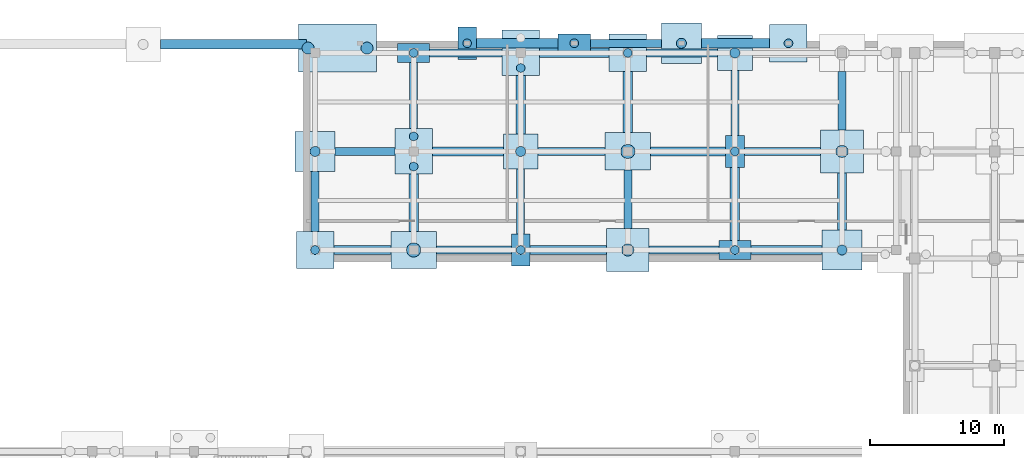
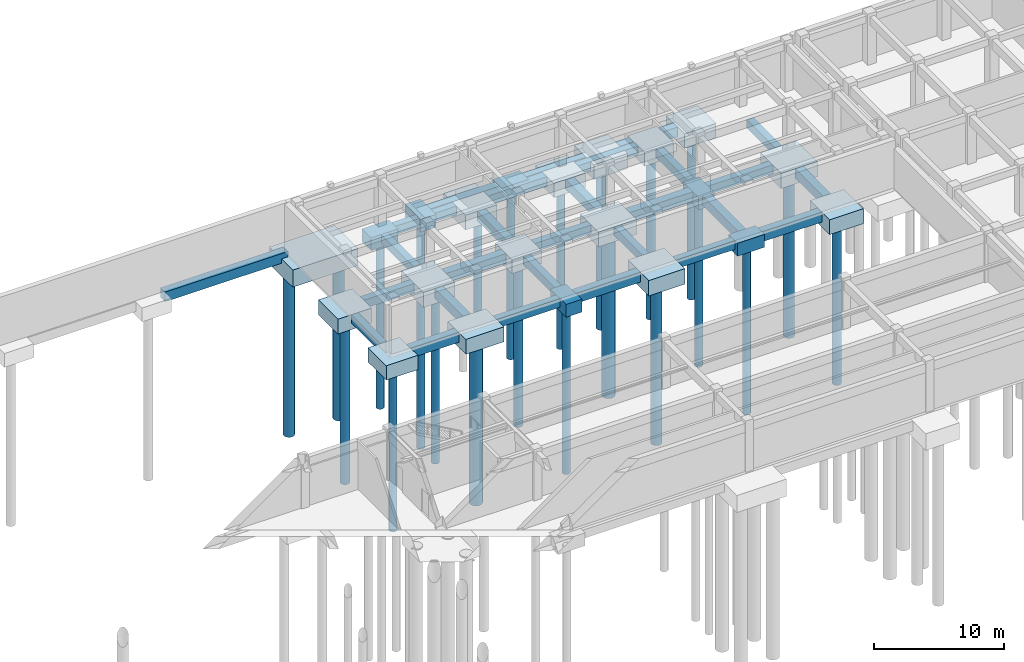
# One storey, part 7 of 35: 49 footings, 23 piles.
"""IFC4 building model written with IfcOpenShell, lengths in metres."""

from ifc_helpers import new_model, si_unit, direction, frame, origin, origin_2d, place, context, subcontext, project, spatial, polyline, rectangle, circle, outline, extrude, material, layer, layer_set, material_profile, profile_set, type_object, element, save


model = new_model("IFC4")

# Units and contexts
model_context = context("Model", 3, precision=1e-05, world=origin(), true_north=direction((0.0, 1.0)))
body_context = subcontext(model_context, "Body", "Model", "MODEL_VIEW")
ifc_project = project(units=[si_unit("LENGTHUNIT", "METRE"), si_unit("AREAUNIT", "SQUARE_METRE"), si_unit("VOLUMEUNIT", "CUBIC_METRE"), si_unit("PLANEANGLEUNIT", "RADIAN"), si_unit("MASSUNIT", "GRAM", prefix="KILO")], contexts=[model_context])

# Site, building, storey
site_placement = place(None, origin())
site = spatial("IfcSite", under=ifc_project, at=site_placement, CompositionType="ELEMENT")
building_placement = place(site_placement, origin())
building = spatial("IfcBuilding", under=site, at=building_placement, Name="Cinchona Park Media Centre", CompositionType="ELEMENT")
storey_placement = place(building_placement, frame((0.0, 0.0, -4.800048828125)))
storey = spatial("IfcBuildingStorey", under=building, at=storey_placement, Name="B1", CompositionType="ELEMENT", Elevation=-4.800048828125)

# Footings
ifc_material_1 = material(Name="Concrete C40/50", Category="concrete")
ifc_layer_1 = layer(ifc_material_1, 0.800048828125)
ifc_layer_set_1 = layer_set([ifc_layer_1], Name="Concrete C40/50")
footing_type_1 = type_object("IfcFootingType", Name="FTG-BEAM-FB01", PredefinedType="FOOTING_BEAM", material=ifc_layer_set_1)
footing_1_placement = place(storey_placement, frame((0.0, 0.0, -1.300048828125)))
element("IfcFooting", 1, at=footing_1_placement, inside=storey, type_object=footing_type_1, Name="Ground Tie Beam FB01", PredefinedType="FOOTING_BEAM", context=body_context, shape_type="SweptSolid", body=[
    extrude(outline(polyline([(104.5, 102.340087890625), (110.10009765625, 102.340087890625), (110.10009765625, 102.93994140625), (104.5, 102.93994140625), (104.5, 102.340087890625)])), origin(), (0.0, 0.0, 1.0), 0.800048828125),
])
footing_2_placement = place(storey_placement, frame((0.0, 0.0, -1.300048828125)))
element("IfcFooting", 2, at=footing_2_placement, inside=storey, type_object=footing_type_1, Name="Ground Tie Beam FB01", PredefinedType="FOOTING_BEAM", context=body_context, shape_type="SweptSolid", body=[
    extrude(outline(polyline([(120.39990234375, 102.340087890625), (125.60009765625, 102.340087890625), (125.60009765625, 102.93994140625), (120.39990234375, 102.93994140625), (120.39990234375, 102.340087890625)])), origin(), (0.0, 0.0, 1.0), 0.800048828125),
])
footing_3_placement = place(storey_placement, frame((0.0, 0.0, -1.300048828125)))
element("IfcFooting", 3, at=footing_3_placement, inside=storey, type_object=footing_type_1, Name="Ground Tie Beam FB01", PredefinedType="FOOTING_BEAM", context=body_context, shape_type="SweptSolid", body=[
    extrude(outline(polyline([(96.93994140625, 109.699951171875), (101.39990234375, 109.699951171875), (101.39990234375, 110.300048828125), (96.93994140625, 110.300048828125), (96.93994140625, 109.699951171875)])), origin(), (0.0, 0.0, 1.0), 0.800048828125),
])
footing_4_placement = place(storey_placement, frame((0.0, 0.0, -1.300048828125)))
element("IfcFooting", 4, at=footing_4_placement, inside=storey, type_object=footing_type_1, Name="Ground Tie Beam FB01", PredefinedType="FOOTING_BEAM", context=body_context, shape_type="SweptSolid", body=[
    extrude(outline(polyline([(112.10009765625, 109.699951171875), (117.10009765625, 109.699951171875), (117.10009765625, 110.300048828125), (112.10009765625, 110.300048828125), (112.10009765625, 109.699951171875)])), origin(), (0.0, 0.0, 1.0), 0.800048828125),
])
footing_5_placement = place(storey_placement, frame((0.0, 0.0, -1.300048828125)))
element("IfcFooting", 5, at=footing_5_placement, inside=storey, type_object=footing_type_1, Name="Ground Tie Beam FB01", PredefinedType="FOOTING_BEAM", context=body_context, shape_type="SweptSolid", body=[
    extrude(outline(polyline([(127.5, 109.699951171875), (133.199951171875, 109.699951171875), (133.199951171875, 110.300048828125), (127.5, 110.300048828125), (127.5, 109.699951171875)])), origin(), (0.0, 0.0, 1.0), 0.800048828125),
])
footing_6_placement = place(storey_placement, frame((0.0, 0.0, -1.300048828125)))
element("IfcFooting", 6, at=footing_6_placement, inside=storey, type_object=footing_type_1, Name="Ground Tie Beam FB01", PredefinedType="FOOTING_BEAM", context=body_context, shape_type="SweptSolid", body=[
    extrude(outline(polyline([(104.0, 117.06005859375), (109.39990234375, 117.06005859375), (109.39990234375, 117.659912109375), (104.0, 117.659912109375), (104.0, 117.06005859375)])), origin(), (0.0, 0.0, 1.0), 0.800048828125),
])
footing_7_placement = place(storey_placement, frame((0.0, 0.0, -1.300048828125)))
element("IfcFooting", 7, at=footing_7_placement, inside=storey, type_object=footing_type_1, Name="Ground Tie Beam FB01", PredefinedType="FOOTING_BEAM", context=body_context, shape_type="SweptSolid", body=[
    extrude(outline(polyline([(120.199951171875, 117.06005859375), (125.5, 117.06005859375), (125.5, 117.659912109375), (120.199951171875, 117.659912109375), (120.199951171875, 117.06005859375)])), origin(), (0.0, 0.0, 1.0), 0.800048828125),
])
footing_8_placement = place(storey_placement, frame((0.0, 0.0, -1.300048828125)))
element("IfcFooting", 8, at=footing_8_placement, inside=storey, type_object=footing_type_1, Name="Ground Tie Beam FB01", PredefinedType="FOOTING_BEAM", context=body_context, shape_type="SweptSolid", body=[
    extrude(outline(polyline([(116.0, 117.780029296875), (121.300048828125, 117.780029296875), (121.300048828125, 118.3798828125), (116.0, 118.3798828125), (116.0, 117.780029296875)])), origin(), (0.0, 0.0, 1.0), 0.800048828125),
])
footing_9_placement = place(storey_placement, frame((0.0, 0.0, -1.300048828125)))
element("IfcFooting", 9, at=footing_9_placement, inside=storey, type_object=footing_type_1, Name="Ground Tie Beam FB01", PredefinedType="FOOTING_BEAM", context=body_context, shape_type="SweptSolid", body=[
    extrude(outline(polyline([(95.139892578125, 104.0400390625), (95.739990234375, 104.0400390625), (95.739990234375, 108.5), (95.139892578125, 108.5), (95.139892578125, 104.0400390625)])), origin(), (0.0, 0.0, 1.0), 0.800048828125),
])
footing_10_placement = place(storey_placement, frame((0.0, 0.0, -1.300048828125)))
element("IfcFooting", 10, at=footing_10_placement, inside=storey, type_object=footing_type_1, Name="Ground Tie Beam FB01", PredefinedType="FOOTING_BEAM", context=body_context, shape_type="SweptSolid", body=[
    extrude(outline(polyline([(102.5, 111.699951171875), (103.10009765625, 111.699951171875), (103.10009765625, 116.659912109375), (102.5, 116.659912109375), (102.5, 111.699951171875)])), origin(), (0.0, 0.0, 1.0), 0.800048828125),
])
footing_11_placement = place(storey_placement, frame((0.0, 0.0, -1.300048828125)))
element("IfcFooting", 11, at=footing_11_placement, inside=storey, type_object=footing_type_1, Name="Ground Tie Beam FB01", PredefinedType="FOOTING_BEAM", context=body_context, shape_type="SweptSolid", body=[
    extrude(outline(polyline([(110.5, 103.840087890625), (111.10009765625, 103.840087890625), (111.10009765625, 108.699951171875), (110.5, 108.699951171875), (110.5, 103.840087890625)])), origin(), (0.0, 0.0, 1.0), 0.800048828125),
])
footing_12_placement = place(storey_placement, frame((0.0, 0.0, -1.300048828125)))
element("IfcFooting", 12, at=footing_12_placement, inside=storey, type_object=footing_type_1, Name="Ground Tie Beam FB01", PredefinedType="FOOTING_BEAM", context=body_context, shape_type="SweptSolid", body=[
    extrude(outline(polyline([(118.5, 104.239990234375), (119.10009765625, 104.239990234375), (119.10009765625, 108.60009765625), (118.5, 108.60009765625), (118.5, 104.239990234375)])), origin(), (0.0, 0.0, 1.0), 0.800048828125),
])
footing_13_placement = place(storey_placement, frame((0.0, 0.0, -1.300048828125)))
element("IfcFooting", 13, at=footing_13_placement, inside=storey, type_object=footing_type_1, Name="Ground Tie Beam FB01", PredefinedType="FOOTING_BEAM", context=body_context, shape_type="SweptSolid", body=[
    extrude(outline(polyline([(126.5, 111.199951171875), (127.10009765625, 111.199951171875), (127.10009765625, 116.06005859375), (126.5, 116.06005859375), (126.5, 111.199951171875)])), origin(), (0.0, 0.0, 1.0), 0.800048828125),
])
footing_14_placement = place(storey_placement, frame((0.0, 0.0, -1.300048828125)))
element("IfcFooting", 14, at=footing_14_placement, inside=storey, type_object=footing_type_1, Name="Ground Tie Beam FB01", PredefinedType="FOOTING_BEAM", context=body_context, shape_type="SweptSolid", body=[
    extrude(outline(polyline([(134.5, 111.60009765625), (135.10009765625, 111.60009765625), (135.10009765625, 115.9599609375), (134.5, 115.9599609375), (134.5, 111.60009765625)])), origin(), (0.0, 0.0, 1.0), 0.800048828125),
])
ifc_material_2 = material(Name="Concrete C40/50", Category="concrete")
ifc_layer_2 = layer(ifc_material_2, 0.89990234375)
ifc_layer_set_2 = layer_set([ifc_layer_2], Name="Concrete C40/50")
footing_type_2 = type_object("IfcFootingType", Name="FTG-BEAM-FB02", PredefinedType="FOOTING_BEAM", material=ifc_layer_set_2)
footing_15_placement = place(storey_placement, frame((0.0, 0.0, -1.39990234375)))
element("IfcFooting", 15, at=footing_15_placement, inside=storey, type_object=footing_type_2, Name="Ground Tie Beam FB02", PredefinedType="FOOTING_BEAM", context=body_context, shape_type="SweptSolid", body=[
    extrude(outline(polyline([(96.840087890625, 102.2900390625), (101.10009765625, 102.2900390625), (101.10009765625, 102.989990234375), (96.840087890625, 102.989990234375), (96.840087890625, 102.2900390625)])), origin(), (0.0, 0.0, 1.0), 0.89990234375),
])
footing_16_placement = place(storey_placement, frame((0.0, 0.0, -1.39990234375)))
element("IfcFooting", 16, at=footing_16_placement, inside=storey, type_object=footing_type_2, Name="Ground Tie Beam FB02", PredefinedType="FOOTING_BEAM", context=body_context, shape_type="SweptSolid", body=[
    extrude(outline(polyline([(111.5, 102.2900390625), (117.199951171875, 102.2900390625), (117.199951171875, 102.989990234375), (111.5, 102.989990234375), (111.5, 102.2900390625)])), origin(), (0.0, 0.0, 1.0), 0.89990234375),
])
footing_17_placement = place(storey_placement, frame((0.0, 0.0, -1.39990234375)))
element("IfcFooting", 17, at=footing_17_placement, inside=storey, type_object=footing_type_2, Name="Ground Tie Beam FB02", PredefinedType="FOOTING_BEAM", context=body_context, shape_type="SweptSolid", body=[
    extrude(outline(polyline([(128.0, 102.2900390625), (133.300048828125, 102.2900390625), (133.300048828125, 102.989990234375), (128.0, 102.989990234375), (128.0, 102.2900390625)])), origin(), (0.0, 0.0, 1.0), 0.89990234375),
])
footing_18_placement = place(storey_placement, frame((0.0, 0.0, -1.39990234375)))
element("IfcFooting", 18, at=footing_18_placement, inside=storey, type_object=footing_type_2, Name="Ground Tie Beam FB02", PredefinedType="FOOTING_BEAM", context=body_context, shape_type="SweptSolid", body=[
    extrude(outline(polyline([(104.199951171875, 109.64990234375), (109.5, 109.64990234375), (109.5, 110.35009765625), (104.199951171875, 110.35009765625), (104.199951171875, 109.64990234375)])), origin(), (0.0, 0.0, 1.0), 0.89990234375),
])
footing_19_placement = place(storey_placement, frame((0.0, 0.0, -1.39990234375)))
element("IfcFooting", 19, at=footing_19_placement, inside=storey, type_object=footing_type_2, Name="Ground Tie Beam FB02", PredefinedType="FOOTING_BEAM", context=body_context, shape_type="SweptSolid", body=[
    extrude(outline(polyline([(120.5, 109.64990234375), (126.10009765625, 109.64990234375), (126.10009765625, 110.35009765625), (120.5, 110.35009765625), (120.5, 109.64990234375)])), origin(), (0.0, 0.0, 1.0), 0.89990234375),
])
footing_20_placement = place(storey_placement, frame((0.0, 0.0, -1.39990234375)))
element("IfcFooting", 20, at=footing_20_placement, inside=storey, type_object=footing_type_2, Name="Ground Tie Beam FB02", PredefinedType="FOOTING_BEAM", context=body_context, shape_type="SweptSolid", body=[
    extrude(outline(polyline([(112.199951171875, 117.010009765625), (117.39990234375, 117.010009765625), (117.39990234375, 117.7099609375), (112.199951171875, 117.7099609375), (112.199951171875, 117.010009765625)])), origin(), (0.0, 0.0, 1.0), 0.89990234375),
])
footing_21_placement = place(storey_placement, frame((0.0, 0.0, -1.39990234375)))
element("IfcFooting", 21, at=footing_21_placement, inside=storey, type_object=footing_type_2, Name="Ground Tie Beam FB02", PredefinedType="FOOTING_BEAM", context=body_context, shape_type="SweptSolid", body=[
    extrude(outline(polyline([(107.5, 117.72998046875), (113.60009765625, 117.72998046875), (113.60009765625, 118.429931640625), (107.5, 118.429931640625), (107.5, 117.72998046875)])), origin(), (0.0, 0.0, 1.0), 0.89990234375),
])
footing_22_placement = place(storey_placement, frame((0.0, 0.0, -1.39990234375)))
element("IfcFooting", 22, at=footing_22_placement, inside=storey, type_object=footing_type_2, Name="Ground Tie Beam FB02", PredefinedType="FOOTING_BEAM", context=body_context, shape_type="SweptSolid", body=[
    extrude(outline(polyline([(124.300048828125, 117.72998046875), (129.39990234375, 117.72998046875), (129.39990234375, 118.429931640625), (124.300048828125, 118.429931640625), (124.300048828125, 117.72998046875)])), origin(), (0.0, 0.0, 1.0), 0.89990234375),
])
footing_23_placement = place(storey_placement, frame((0.0, 0.0, -1.39990234375)))
element("IfcFooting", 23, at=footing_23_placement, inside=storey, type_object=footing_type_2, Name="Ground Tie Beam FB02", PredefinedType="FOOTING_BEAM", context=body_context, shape_type="SweptSolid", body=[
    extrude(outline(polyline([(102.449951171875, 104.0400390625), (103.14990234375, 104.0400390625), (103.14990234375, 108.300048828125), (102.449951171875, 108.300048828125), (102.449951171875, 104.0400390625)])), origin(), (0.0, 0.0, 1.0), 0.89990234375),
])
footing_24_placement = place(storey_placement, frame((0.0, 0.0, -1.39990234375)))
element("IfcFooting", 24, at=footing_24_placement, inside=storey, type_object=footing_type_2, Name="Ground Tie Beam FB02", PredefinedType="FOOTING_BEAM", context=body_context, shape_type="SweptSolid", body=[
    extrude(outline(polyline([(110.449951171875, 111.300048828125), (111.14990234375, 111.300048828125), (111.14990234375, 115.659912109375), (110.449951171875, 115.659912109375), (110.449951171875, 111.300048828125)])), origin(), (0.0, 0.0, 1.0), 0.89990234375),
])
footing_25_placement = place(storey_placement, frame((0.0, 0.0, -1.39990234375)))
element("IfcFooting", 25, at=footing_25_placement, inside=storey, type_object=footing_type_2, Name="Ground Tie Beam FB02", PredefinedType="FOOTING_BEAM", context=body_context, shape_type="SweptSolid", body=[
    extrude(outline(polyline([(118.449951171875, 111.39990234375), (119.14990234375, 111.39990234375), (119.14990234375, 115.9599609375), (118.449951171875, 115.9599609375), (118.449951171875, 111.39990234375)])), origin(), (0.0, 0.0, 1.0), 0.89990234375),
])
footing_26_placement = place(storey_placement, frame((0.0, 0.0, -1.39990234375)))
element("IfcFooting", 26, at=footing_26_placement, inside=storey, type_object=footing_type_2, Name="Ground Tie Beam FB02", PredefinedType="FOOTING_BEAM", context=body_context, shape_type="SweptSolid", body=[
    extrude(outline(polyline([(126.449951171875, 103.340087890625), (127.14990234375, 103.340087890625), (127.14990234375, 108.800048828125), (126.449951171875, 108.800048828125), (126.449951171875, 103.340087890625)])), origin(), (0.0, 0.0, 1.0), 0.89990234375),
])
footing_27_placement = place(storey_placement, frame((0.0, 0.0, -1.39990234375)))
element("IfcFooting", 27, at=footing_27_placement, inside=storey, type_object=footing_type_2, Name="Ground Tie Beam FB02", PredefinedType="FOOTING_BEAM", context=body_context, shape_type="SweptSolid", body=[
    extrude(outline(polyline([(134.449951171875, 104.139892578125), (135.14990234375, 104.139892578125), (135.14990234375, 108.39990234375), (134.449951171875, 108.39990234375), (134.449951171875, 104.139892578125)])), origin(), (0.0, 0.0, 1.0), 0.89990234375),
])
footing_28_placement = place(storey_placement, frame((0.0, 0.0, -0.89990234375)))
element("IfcFooting", 28, at=footing_28_placement, inside=storey, type_object=footing_type_2, Name="Ground Tie Beam FB02", PredefinedType="FOOTING_BEAM", context=body_context, shape_type="SweptSolid", body=[
    extrude(outline(polyline([(83.89990234375, 117.64990234375), (94.7900390625, 117.64990234375), (94.7900390625, 118.35009765625), (83.89990234375, 118.35009765625), (83.89990234375, 117.64990234375)])), origin(), (0.0, 0.0, 1.0), 0.89990234375),
])

# Piles
ifc_material_3 = material(Name="Concrete C40/50", Category="concrete")
ifc_material_profile_1 = material_profile(ifc_material_3, circle(Radius=0.52490234375, at=origin_2d()), Name="BORED PILE 1050")
ifc_profile_set_1 = profile_set([ifc_material_profile_1], Name="Concrete C40/50")
pile_type_1 = type_object("IfcPileType", Name="PILE-BP1050", PredefinedType="BORED", material=ifc_profile_set_1)
for number, where, z_axis, x_axis, name in (
    (29, (102.800048828125, 102.639892578125, -1.800048828125), (0.0, 0.0, -1.0), (1.0, 0.0, 0.0), "Bored Pile P1050"),
    (30, (118.800048828125, 110.0, -1.800048828125), (0.0, 0.0, -1.0), (1.0, 0.0, 0.0), "Bored Pile P1050"),
):
    element("IfcPile", number, at=place(storey_placement, frame(where, z_axis=z_axis, x_axis=x_axis)), inside=storey, type_object=pile_type_1, Name=name, PredefinedType="BORED", context=body_context, shape_type="SweptSolid", body=[
        extrude(circle(Radius=0.52490234375, at=origin_2d()), origin(), (0.0, 0.0, 1.0), 15.39990234375),
    ])
ifc_material_4 = material(Name="Concrete C40/50", Category="concrete")
ifc_material_profile_2 = material_profile(ifc_material_4, circle(Radius=0.324951171875, at=origin_2d()), Name="BORED PILE 650")
ifc_profile_set_2 = profile_set([ifc_material_profile_2], Name="Concrete C40/50")
pile_type_2 = type_object("IfcPileType", Name="PILE-BP650", PredefinedType="BORED", material=ifc_profile_set_2)
pile_1_placement = place(storey_placement, frame((95.43994140625, 102.639892578125, -1.75), z_axis=(0.0, 0.0, -1.0), x_axis=(1.0, 0.0, 0.0)))
element("IfcPile", 31, at=pile_1_placement, inside=storey, type_object=pile_type_2, Name="Bored Pile P650", PredefinedType="BORED", context=body_context, shape_type="SweptSolid", body=[
    extrude(circle(Radius=0.324951171875, at=origin_2d()), origin(), (0.0, 0.0, 1.0), 15.449951171875),
])
for number, where, z_axis, x_axis, name in (
    (32, (102.800048828125, 108.875, -1.800048828125), (0.0, 0.0, -1.0), (1.0, 0.0, 0.0), "Bored Pile P650"),
    (33, (102.800048828125, 111.125, -1.800048828125), (0.0, 0.0, -1.0), (1.0, 0.0, 0.0), "Bored Pile P650"),
):
    element("IfcPile", number, at=place(storey_placement, frame(where, z_axis=z_axis, x_axis=x_axis)), inside=storey, type_object=pile_type_2, Name=name, PredefinedType="BORED", context=body_context, shape_type="SweptSolid", body=[
        extrude(circle(Radius=0.324951171875, at=origin_2d()), origin(), (0.0, 0.0, 1.0), 15.39990234375),
    ])
for number, where, z_axis, x_axis, name in (
    (34, (102.800048828125, 117.360107421875, -1.599853515625), (0.0, 0.0, -1.0), (1.0, 0.0, 0.0), "Bored Pile P650"),
    (35, (106.800048828125, 118.080078125, -1.599853515625), (0.0, 0.0, -1.0), (1.0, 0.0, 0.0), "Bored Pile P650"),
    (36, (110.800048828125, 102.639892578125, -1.599853515625), (0.0, 0.0, -1.0), (1.0, 0.0, 0.0), "Bored Pile P650"),
):
    element("IfcPile", number, at=place(storey_placement, frame(where, z_axis=z_axis, x_axis=x_axis)), inside=storey, type_object=pile_type_2, Name=name, PredefinedType="BORED", context=body_context, shape_type="SweptSolid", body=[
        extrude(circle(Radius=0.324951171875, at=origin_2d()), origin(), (0.0, 0.0, 1.0), 15.60009765625),
    ])
pile_2_placement = place(storey_placement, frame((110.800048828125, 116.235107421875, -1.800048828125), z_axis=(0.0, 0.0, -1.0), x_axis=(1.0, 0.0, 0.0)))
element("IfcPile", 37, at=pile_2_placement, inside=storey, type_object=pile_type_2, Name="Bored Pile P650", PredefinedType="BORED", context=body_context, shape_type="SweptSolid", body=[
    extrude(circle(Radius=0.324951171875, at=origin_2d()), origin(), (0.0, 0.0, 1.0), 15.39990234375),
])
pile_3_placement = place(storey_placement, frame((114.800048828125, 118.080078125, -1.599853515625), z_axis=(0.0, 0.0, -1.0), x_axis=(1.0, 0.0, 0.0)))
element("IfcPile", 38, at=pile_3_placement, inside=storey, type_object=pile_type_2, Name="Bored Pile P650", PredefinedType="BORED", context=body_context, shape_type="SweptSolid", body=[
    extrude(circle(Radius=0.324951171875, at=origin_2d()), origin(), (0.0, 0.0, 1.0), 15.60009765625),
])
pile_4_placement = place(storey_placement, frame((118.800048828125, 117.360107421875, -1.75), z_axis=(0.0, 0.0, -1.0), x_axis=(1.0, 0.0, 0.0)))
element("IfcPile", 39, at=pile_4_placement, inside=storey, type_object=pile_type_2, Name="Bored Pile P650", PredefinedType="BORED", context=body_context, shape_type="SweptSolid", body=[
    extrude(circle(Radius=0.324951171875, at=origin_2d()), origin(), (0.0, 0.0, 1.0), 15.449951171875),
])
for number, where, z_axis, x_axis, name in (
    (40, (126.800048828125, 102.639892578125, -1.599853515625), (0.0, 0.0, -1.0), (1.0, 0.0, 0.0), "Bored Pile P650"),
    (41, (126.800048828125, 110.0, -1.599853515625), (0.0, 0.0, -1.0), (1.0, 0.0, 0.0), "Bored Pile P650"),
):
    element("IfcPile", number, at=place(storey_placement, frame(where, z_axis=z_axis, x_axis=x_axis)), inside=storey, type_object=pile_type_2, Name=name, PredefinedType="BORED", context=body_context, shape_type="SweptSolid", body=[
        extrude(circle(Radius=0.324951171875, at=origin_2d()), origin(), (0.0, 0.0, 1.0), 15.60009765625),
    ])
pile_5_placement = place(storey_placement, frame((130.800048828125, 118.080078125, -1.75), z_axis=(0.0, 0.0, -1.0), x_axis=(1.0, 0.0, 0.0)))
element("IfcPile", 42, at=pile_5_placement, inside=storey, type_object=pile_type_2, Name="Bored Pile P650", PredefinedType="BORED", context=body_context, shape_type="SweptSolid", body=[
    extrude(circle(Radius=0.324951171875, at=origin_2d()), origin(), (0.0, 0.0, 1.0), 15.449951171875),
])
ifc_material_5 = material(Name="Concrete C40/50", Category="concrete")
ifc_material_profile_3 = material_profile(ifc_material_5, circle(Radius=0.375, at=origin_2d()), Name="BORED PILE 750")
ifc_profile_set_3 = profile_set([ifc_material_profile_3], Name="Concrete C40/50")
pile_type_3 = type_object("IfcPileType", Name="PILE-BP750", PredefinedType="BORED", material=ifc_profile_set_3)
pile_6_placement = place(storey_placement, frame((95.43994140625, 110.0, -1.800048828125), z_axis=(0.0, 0.0, -1.0), x_axis=(1.0, 0.0, 0.0)))
element("IfcPile", 43, at=pile_6_placement, inside=storey, type_object=pile_type_3, Name="Bored Pile P750", PredefinedType="BORED", context=body_context, shape_type="SweptSolid", body=[
    extrude(circle(Radius=0.375, at=origin_2d()), origin(), (0.0, 0.0, 1.0), 15.39990234375),
])
pile_7_placement = place(storey_placement, frame((110.800048828125, 110.0, -1.699951171875), z_axis=(0.0, 0.0, -1.0), x_axis=(1.0, 0.0, 0.0)))
element("IfcPile", 44, at=pile_7_placement, inside=storey, type_object=pile_type_3, Name="Bored Pile P750", PredefinedType="BORED", context=body_context, shape_type="SweptSolid", body=[
    extrude(circle(Radius=0.375, at=origin_2d()), origin(), (0.0, 0.0, 1.0), 15.5),
])
pile_8_placement = place(storey_placement, frame((122.800048828125, 118.080078125, -1.800048828125), z_axis=(0.0, 0.0, -1.0), x_axis=(1.0, 0.0, 0.0)))
element("IfcPile", 45, at=pile_8_placement, inside=storey, type_object=pile_type_3, Name="Bored Pile P750", PredefinedType="BORED", context=body_context, shape_type="SweptSolid", body=[
    extrude(circle(Radius=0.375, at=origin_2d()), origin(), (0.0, 0.0, 1.0), 15.39990234375),
])
pile_9_placement = place(storey_placement, frame((126.800048828125, 117.360107421875, -1.699951171875), z_axis=(0.0, 0.0, -1.0), x_axis=(1.0, 0.0, 0.0)))
element("IfcPile", 46, at=pile_9_placement, inside=storey, type_object=pile_type_3, Name="Bored Pile P750", PredefinedType="BORED", context=body_context, shape_type="SweptSolid", body=[
    extrude(circle(Radius=0.375, at=origin_2d()), origin(), (0.0, 0.0, 1.0), 15.5),
])
pile_10_placement = place(storey_placement, frame((134.800048828125, 102.639892578125, -1.800048828125), z_axis=(0.0, 0.0, -1.0), x_axis=(1.0, 0.0, 0.0)))
element("IfcPile", 47, at=pile_10_placement, inside=storey, type_object=pile_type_3, Name="Bored Pile P750", PredefinedType="BORED", context=body_context, shape_type="SweptSolid", body=[
    extrude(circle(Radius=0.375, at=origin_2d()), origin(), (0.0, 0.0, 1.0), 15.39990234375),
])
ifc_material_6 = material(Name="Concrete C40/50", Category="concrete")
ifc_material_profile_4 = material_profile(ifc_material_6, circle(Radius=0.449951171875, at=origin_2d()), Name="BORED PILE 900")
ifc_profile_set_4 = profile_set([ifc_material_profile_4], Name="Concrete C40/50")
pile_type_4 = type_object("IfcPileType", Name="PILE-BP900", PredefinedType="BORED", material=ifc_profile_set_4)
for number, where, z_axis, x_axis, name in (
    (48, (94.919921875, 117.719970703125, -2.0), (0.0, 0.0, -1.0), (1.0, 0.0, 0.0), "Bored Pile P900"),
    (49, (99.320068359375, 117.719970703125, -2.0), (0.0, 0.0, -1.0), (1.0, 0.0, 0.0), "Bored Pile P900"),
):
    element("IfcPile", number, at=place(storey_placement, frame(where, z_axis=z_axis, x_axis=x_axis)), inside=storey, type_object=pile_type_4, Name=name, PredefinedType="BORED", context=body_context, shape_type="SweptSolid", body=[
        extrude(circle(Radius=0.449951171875, at=origin_2d()), origin(), (0.0, 0.0, 1.0), 15.199951171875),
    ])
for number, where, z_axis, x_axis, name in (
    (50, (118.800048828125, 102.639892578125, -1.849853515625), (0.0, 0.0, -1.0), (1.0, 0.0, 0.0), "Bored Pile P900"),
    (51, (134.800048828125, 110.0, -1.849853515625), (0.0, 0.0, -1.0), (1.0, 0.0, 0.0), "Bored Pile P900"),
):
    element("IfcPile", number, at=place(storey_placement, frame(where, z_axis=z_axis, x_axis=x_axis)), inside=storey, type_object=pile_type_4, Name=name, PredefinedType="BORED", context=body_context, shape_type="SweptSolid", body=[
        extrude(circle(Radius=0.449951171875, at=origin_2d()), origin(), (0.0, 0.0, 1.0), 15.35009765625),
    ])

# Footings
ifc_material_7 = material(Name="Concrete C40/50", Category="concrete")
ifc_layer_3 = layer(ifc_material_7, 1.199951171875)
ifc_layer_set_3 = layer_set([ifc_layer_3], Name="Concrete C40/50")
footing_type_3 = type_object("IfcFootingType", Name="PILE-CAP-PC01", PredefinedType="PILE_CAP", material=ifc_layer_set_3)
for number, where, z_axis, x_axis, name in (
    (52, (102.800048828125, 117.360107421875, -1.69970703125), (0.0, 0.0, 1.0), (1.0, 0.0, 0.0), "Pile Cap PC01"),
    (53, (114.800048828125, 118.080078125, -1.69970703125), (0.0, 0.0, 1.0), (1.0, 0.0, 0.0), "Pile Cap PC01"),
    (54, (126.800048828125, 102.639892578125, -1.69970703125), (0.0, 0.0, 1.0), (1.0, 0.0, 0.0), "Pile Cap PC01"),
):
    element("IfcFooting", number, at=place(storey_placement, frame(where, z_axis=z_axis, x_axis=x_axis)), inside=storey, type_object=footing_type_3, Name=name, PredefinedType="PILE_CAP", context=body_context, shape_type="SweptSolid", body=[
        extrude(rectangle(XDim=2.39990234375, YDim=1.39990234375, at=origin_2d()), origin(), (0.0, 0.0, 1.0), 1.199951171875),
    ])
ifc_material_8 = material(Name="Concrete C40/50", Category="concrete")
ifc_layer_4 = layer(ifc_material_8, 1.199951171875)
ifc_layer_set_4 = layer_set([ifc_layer_4], Name="Concrete C40/50")
footing_type_4 = type_object("IfcFootingType", Name="PILE-CAP-PC02", PredefinedType="PILE_CAP", material=ifc_layer_set_4)
for number, where, z_axis, x_axis, name in (
    (55, (106.800048828125, 118.080078125, -1.69970703125), (0.0, 0.0, 1.0), (1.0, 0.0, 0.0), "Pile Cap PC02"),
    (56, (110.800048828125, 102.639892578125, -1.69970703125), (0.0, 0.0, 1.0), (1.0, 0.0, 0.0), "Pile Cap PC02"),
    (57, (126.800048828125, 110.0, -1.69970703125), (0.0, 0.0, 1.0), (1.0, 0.0, 0.0), "Pile Cap PC02"),
):
    element("IfcFooting", number, at=place(storey_placement, frame(where, z_axis=z_axis, x_axis=x_axis)), inside=storey, type_object=footing_type_4, Name=name, PredefinedType="PILE_CAP", context=body_context, shape_type="SweptSolid", body=[
        extrude(rectangle(XDim=1.39990234375, YDim=2.39990234375, at=origin_2d()), origin(), (0.0, 0.0, 1.0), 1.199951171875),
    ])
ifc_material_9 = material(Name="Concrete C40/50", Category="concrete")
ifc_layer_5 = layer(ifc_material_9, 1.300048828125)
ifc_layer_set_5 = layer_set([ifc_layer_5], Name="Concrete C40/50")
footing_type_5 = type_object("IfcFootingType", Name="PILE-CAP-PC03", PredefinedType="PILE_CAP", material=ifc_layer_set_5)
for number, where, z_axis, x_axis, name in (
    (58, (110.800048828125, 110.0, -1.7998046875), (0.0, 0.0, 1.0), (1.0, 0.0, 0.0), "Pile Cap PC03"),
    (59, (126.800048828125, 117.360107421875, -1.7998046875), (0.0, 0.0, 1.0), (1.0, 0.0, 0.0), "Pile Cap PC03"),
):
    element("IfcFooting", number, at=place(storey_placement, frame(where, z_axis=z_axis, x_axis=x_axis)), inside=storey, type_object=footing_type_5, Name=name, PredefinedType="PILE_CAP", context=body_context, shape_type="SweptSolid", body=[
        extrude(rectangle(XDim=2.60009765625, YDim=2.60009765625, at=origin_2d()), origin(), (0.0, 0.0, 1.0), 1.300048828125),
    ])
ifc_material_10 = material(Name="Concrete C40/50", Category="concrete")
ifc_layer_6 = layer(ifc_material_10, 1.35009765625)
ifc_layer_set_6 = layer_set([ifc_layer_6], Name="Concrete C40/50")
footing_type_6 = type_object("IfcFootingType", Name="PILE-CAP-PC04", PredefinedType="PILE_CAP", material=ifc_layer_set_6)
for number, where, z_axis, x_axis, name in (
    (60, (95.43994140625, 102.639892578125, -1.85009765625), (0.0, 0.0, 1.0), (1.0, 0.0, 0.0), "Pile Cap PC04"),
    (61, (118.800048828125, 117.360107421875, -1.85009765625), (0.0, 0.0, 1.0), (1.0, 0.0, 0.0), "Pile Cap PC04"),
    (62, (130.800048828125, 118.080078125, -1.85009765625), (0.0, 0.0, 1.0), (1.0, 0.0, 0.0), "Pile Cap PC04"),
):
    element("IfcFooting", number, at=place(storey_placement, frame(where, z_axis=z_axis, x_axis=x_axis)), inside=storey, type_object=footing_type_6, Name=name, PredefinedType="PILE_CAP", context=body_context, shape_type="SweptSolid", body=[
        extrude(rectangle(XDim=2.800048828125, YDim=2.800048828125, at=origin_2d()), origin(), (0.0, 0.0, 1.0), 1.35009765625),
    ])
ifc_material_11 = material(Name="Concrete C40/50", Category="concrete")
ifc_layer_7 = layer(ifc_material_11, 1.39990234375)
ifc_layer_set_7 = layer_set([ifc_layer_7], Name="Concrete C40/50")
footing_type_7 = type_object("IfcFootingType", Name="PILE-CAP-PC05", PredefinedType="PILE_CAP", material=ifc_layer_set_7)
for number, where, z_axis, x_axis, name in (
    (63, (95.43994140625, 110.0, -1.89990234375), (0.0, 0.0, 1.0), (1.0, 0.0, 0.0), "Pile Cap PC05"),
    (64, (122.800048828125, 118.080078125, -1.89990234375), (0.0, 0.0, 1.0), (1.0, 0.0, 0.0), "Pile Cap PC05"),
    (65, (134.800048828125, 102.639892578125, -1.89990234375), (0.0, 0.0, 1.0), (1.0, 0.0, 0.0), "Pile Cap PC05"),
):
    element("IfcFooting", number, at=place(storey_placement, frame(where, z_axis=z_axis, x_axis=x_axis)), inside=storey, type_object=footing_type_7, Name=name, PredefinedType="PILE_CAP", context=body_context, shape_type="SweptSolid", body=[
        extrude(rectangle(XDim=3.0, YDim=3.0, at=origin_2d()), origin(), (0.0, 0.0, 1.0), 1.39990234375),
    ])
ifc_material_12 = material(Name="Concrete C40/50", Category="concrete")
ifc_layer_8 = layer(ifc_material_12, 1.449951171875)
ifc_layer_set_8 = layer_set([ifc_layer_8], Name="Concrete C40/50")
footing_type_8 = type_object("IfcFootingType", Name="PILE-CAP-PC06", PredefinedType="PILE_CAP", material=ifc_layer_set_8)
for number, where, z_axis, x_axis, name in (
    (66, (118.800048828125, 102.639892578125, -1.94970703125), (0.0, 0.0, 1.0), (1.0, 0.0, 0.0), "Pile Cap PC06"),
    (67, (134.800048828125, 110.0, -1.94970703125), (0.0, 0.0, 1.0), (1.0, 0.0, 0.0), "Pile Cap PC06"),
):
    element("IfcFooting", number, at=place(storey_placement, frame(where, z_axis=z_axis, x_axis=x_axis)), inside=storey, type_object=footing_type_8, Name=name, PredefinedType="PILE_CAP", context=body_context, shape_type="SweptSolid", body=[
        extrude(rectangle(XDim=3.199951171875, YDim=3.199951171875, at=origin_2d()), origin(), (0.0, 0.0, 1.0), 1.449951171875),
    ])
ifc_material_13 = material(Name="Concrete C40/50", Category="concrete")
ifc_layer_9 = layer(ifc_material_13, 1.39990234375)
ifc_layer_set_9 = layer_set([ifc_layer_9], Name="Concrete C40/50")
footing_type_9 = type_object("IfcFootingType", Name="PILE-CAP-PC07", PredefinedType="PILE_CAP", material=ifc_layer_set_9)
for number, where, z_axis, x_axis, name in (
    (68, (102.800048828125, 102.639892578125, -1.89990234375), (0.0, 0.0, 1.0), (1.0, 0.0, 0.0), "Pile Cap PC07"),
    (69, (118.800048828125, 110.0, -1.89990234375), (0.0, 0.0, 1.0), (1.0, 0.0, 0.0), "Pile Cap PC07"),
):
    element("IfcFooting", number, at=place(storey_placement, frame(where, z_axis=z_axis, x_axis=x_axis)), inside=storey, type_object=footing_type_9, Name=name, PredefinedType="PILE_CAP", context=body_context, shape_type="SweptSolid", body=[
        extrude(rectangle(XDim=3.39990234375, YDim=2.800048828125, at=origin_2d()), origin(), (0.0, 0.0, 1.0), 1.39990234375),
    ])
ifc_material_14 = material(Name="Concrete C40/50", Category="concrete")
ifc_layer_10 = layer(ifc_material_14, 1.39990234375)
ifc_layer_set_10 = layer_set([ifc_layer_10], Name="Concrete C40/50")
footing_type_10 = type_object("IfcFootingType", Name="PILE-CAP-PC08", PredefinedType="PILE_CAP", material=ifc_layer_set_10)
for number, where, z_axis, x_axis, name in (
    (70, (102.800048828125, 110.0, -1.89990234375), (0.0, 0.0, 1.0), (1.0, 0.0, 0.0), "Pile Cap PC08"),
    (71, (110.800048828125, 117.360107421875, -1.89990234375), (0.0, 0.0, 1.0), (1.0, 0.0, 0.0), "Pile Cap PC08"),
):
    element("IfcFooting", number, at=place(storey_placement, frame(where, z_axis=z_axis, x_axis=x_axis)), inside=storey, type_object=footing_type_10, Name=name, PredefinedType="PILE_CAP", context=body_context, shape_type="SweptSolid", body=[
        extrude(rectangle(XDim=2.800048828125, YDim=3.39990234375, at=origin_2d()), origin(), (0.0, 0.0, 1.0), 1.39990234375),
    ])
ifc_material_15 = material(Name="Concrete C40/50", Category="concrete")
ifc_layer_11 = layer(ifc_material_15, 1.60009765625)
ifc_layer_set_11 = layer_set([ifc_layer_11], Name="Concrete C40/50")
footing_type_11 = type_object("IfcFootingType", Name="PILE-CAP-PC14", PredefinedType="PILE_CAP", material=ifc_layer_set_11)
footing_29_placement = place(storey_placement, frame((97.1201171875, 117.719970703125, -2.10009765625), z_axis=(0.0, 0.0, 1.0), x_axis=(1.0, 0.0, 0.0)))
element("IfcFooting", 72, at=footing_29_placement, inside=storey, type_object=footing_type_11, Name="Pile Cap PC14", PredefinedType="PILE_CAP", context=body_context, shape_type="SweptSolid", body=[
    extrude(rectangle(XDim=5.800048828125, YDim=3.60009765625, at=origin_2d()), origin(), (0.0, 0.0, 1.0), 1.60009765625),
])

save(model, "model.ifc")
